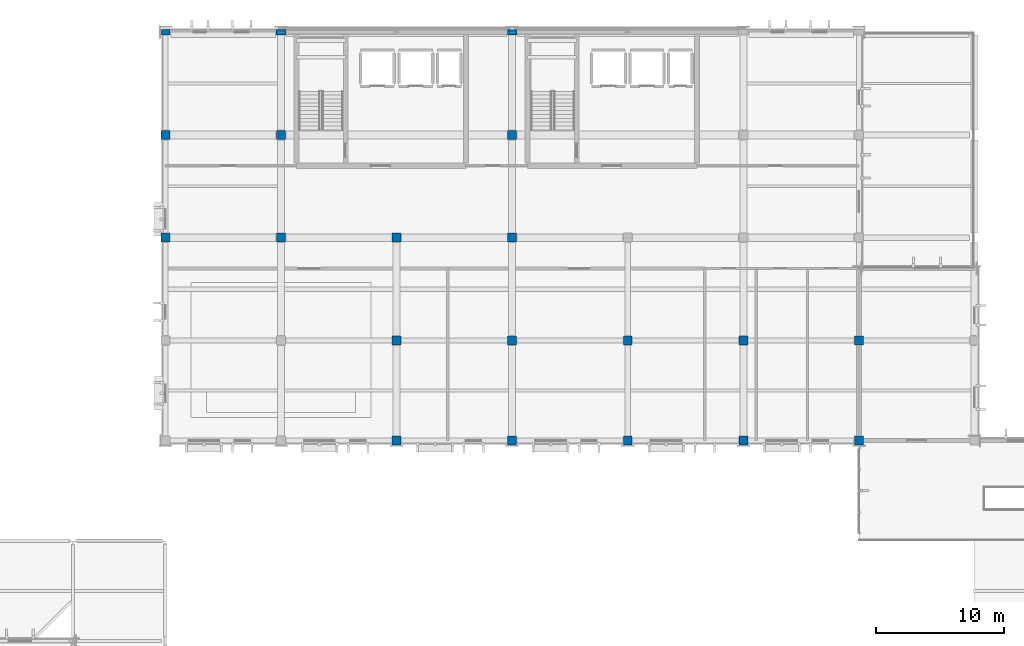
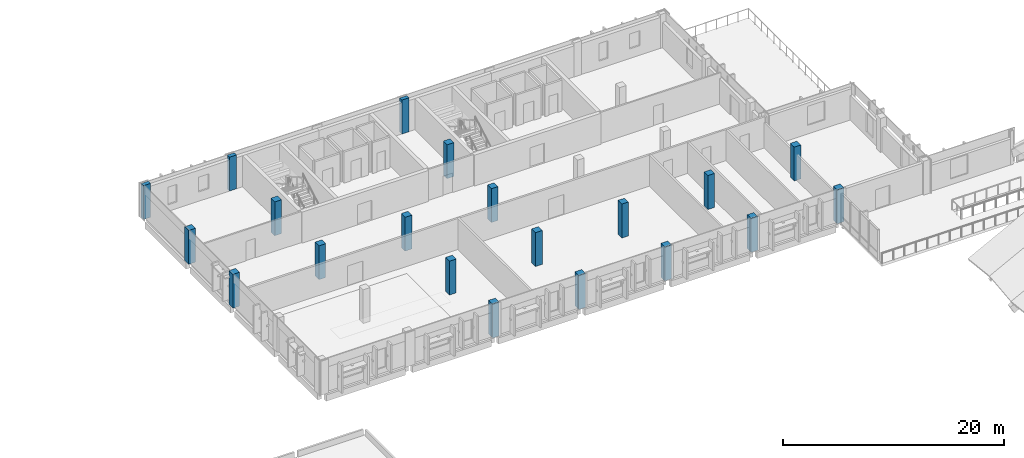
# One storey, part 5 of 73: 20 columns.
"""IFC4 building model written with IfcOpenShell, lengths in metres."""

import ifcopenshell
import ifcopenshell.guid

model = None  # the IFC model being written
_history = None  # IfcOwnerHistory: only IFC2X3 demands one
_inside = {}  # id of a spatial element -> (the spatial element, [elements in it])
_under = {}  # id of a project, library or spatial element -> (it, [spatial elements below it])
_declared = {}  # id of a project -> (the project, [libraries it declares])
_typed = {}  # id of a type object -> (the type object, [elements of that type])
_made_of = {}  # id of a material, layer set ... -> (it, [elements and type objects made of it])


def new_model(schema):
    """Start an empty IFC model of exactly this schema.

    Asked for "IFC4X3", IfcOpenShell would pick the latest addendum, in which some entities
    have other attributes; the version numbers below select the first issue.
    IFC2X3 requires an IfcOwnerHistory on every rooted entity: one is made here for all.
    """
    global model, _history
    if schema == "IFC4X3":
        model = ifcopenshell.file(schema_version=(4, 3, 0, 0))
    else:
        model = ifcopenshell.file(schema=schema)
    _inside.clear()
    _under.clear()
    _declared.clear()
    _typed.clear()
    _made_of.clear()
    _history = None
    if model.schema == "IFC2X3":
        org = make("IfcOrganization", Name="unknown")
        user = make(
            "IfcPersonAndOrganization",
            ThePerson=make("IfcPerson", FamilyName="unknown"),
            TheOrganization=org,
        )
        app = make(
            "IfcApplication",
            ApplicationDeveloper=org,
            Version="unknown",
            ApplicationFullName="unknown",
            ApplicationIdentifier="unknown",
        )
        _history = make(
            "IfcOwnerHistory",
            OwningUser=user,
            OwningApplication=app,
            ChangeAction="ADDED",
            CreationDate=0,
        )
    return model


def make(cls, **values):
    """One entity of the class cls with the attributes given. An attribute that is None is left unset."""
    return model.create_entity(
        cls, **{name: value for name, value in values.items() if value is not None}
    )


def rooted(cls, **values):
    """An entity with a GlobalId (a new one), such as an element, a storey or a relation."""
    return make(cls, GlobalId=ifcopenshell.guid.new(), OwnerHistory=_history, **values)


def si_unit(unit_type, name, prefix=None):
    """IfcSIUnit, for example si_unit("LENGTHUNIT", "METRE", prefix="MILLI")."""
    return make("IfcSIUnit", UnitType=unit_type, Prefix=prefix, Name=name)


def assignment(units):
    """IfcUnitAssignment: the units of a project."""
    return None if units is None else make("IfcUnitAssignment", Units=units)


def point(xyz):
    """IfcCartesianPoint."""
    return None if xyz is None else make("IfcCartesianPoint", Coordinates=xyz)


def direction(xyz):
    """IfcDirection."""
    return None if xyz is None else make("IfcDirection", DirectionRatios=xyz)


def frame(location, z_axis=None, x_axis=None):
    """IfcAxis2Placement3D, a coordinate frame: its origin and axes. An axis left out is left unset."""
    return make(
        "IfcAxis2Placement3D",
        Location=point(location),
        Axis=direction(z_axis),
        RefDirection=direction(x_axis),
    )


def frame_2d(location, x_axis=None):
    """IfcAxis2Placement2D, a coordinate frame in the plane: its origin and x axis."""
    return make(
        "IfcAxis2Placement2D", Location=point(location), RefDirection=direction(x_axis)
    )


def origin():
    """The frame at (0, 0, 0) with its axes left unset."""
    return frame((0.0, 0.0, 0.0))


def origin_2d():
    """The frame at (0, 0) in the plane with its x axis left unset."""
    return frame_2d((0.0, 0.0))


def place(relative_to, where):
    """IfcLocalPlacement: puts the frame where relative to a parent placement (None: the world)."""
    return make(
        "IfcLocalPlacement", PlacementRelTo=relative_to, RelativePlacement=where
    )


def context(
    kind, dimensions, precision=None, world=None, true_north=None, identifier=None
):
    """IfcGeometricRepresentationContext, for example the 3D "Model" context."""
    return make(
        "IfcGeometricRepresentationContext",
        ContextIdentifier=identifier,
        ContextType=kind,
        CoordinateSpaceDimension=dimensions,
        Precision=precision,
        WorldCoordinateSystem=world,
        TrueNorth=true_north,
    )


def subcontext(parent, identifier, kind, view, scale=None):
    """IfcGeometricRepresentationSubContext, for example "Body" below "Model"."""
    return make(
        "IfcGeometricRepresentationSubContext",
        ContextIdentifier=identifier,
        ContextType=kind,
        ParentContext=parent,
        TargetScale=scale,
        TargetView=view,
    )


def project(units=None, contexts=None):
    """IfcProject with its units and contexts."""
    return rooted(
        "IfcProject",
        Name="project",
        RepresentationContexts=contexts,
        UnitsInContext=assignment(units),
    )


def spatial(cls, under=None, at=None, **own):
    """A site, building, storey or space (cls), placed at a placement, below another one or the project."""
    s = rooted(cls, ObjectPlacement=at, **own)
    if under is not None:
        _under.setdefault(under.id(), (under, []))[1].append(s)
    return s


def profile(cls, at=None, kind="AREA", **sizes):
    """A parametric profile (cls). Its sizes go by their IFC names, for example OverallWidth=200.0."""
    return make(cls, ProfileType=kind, Position=at, **sizes)


def rectangle(**sizes):
    """IfcRectangleProfileDef."""
    return profile("IfcRectangleProfileDef", **sizes)


def extrude(swept, where, along, depth):
    """IfcExtrudedAreaSolid: the profile swept, set in the frame where, extruded along a direction by depth."""
    return make(
        "IfcExtrudedAreaSolid",
        SweptArea=swept,
        Position=where,
        ExtrudedDirection=direction(along),
        Depth=depth,
    )


def shape(context_of_items, identifier, shape_type, items):
    """IfcShapeRepresentation: the items that make up one representation, for example the "Body"."""
    return make(
        "IfcShapeRepresentation",
        ContextOfItems=context_of_items,
        RepresentationIdentifier=identifier,
        RepresentationType=shape_type,
        Items=items,
    )


def material(Name=None, Category=None):
    """IfcMaterial."""
    return make("IfcMaterial", Name=Name, Category=Category)


def material_profile(
    of_material, cross_section, Name=None, Category=None, Priority=None
):
    """IfcMaterialProfile: a cross section and its material."""
    return make(
        "IfcMaterialProfile",
        Name=Name,
        Material=of_material,
        Profile=cross_section,
        Priority=Priority,
        Category=Category,
    )


def profile_set(profiles, Name=None, composite=None):
    """IfcMaterialProfileSet."""
    return make(
        "IfcMaterialProfileSet",
        Name=Name,
        MaterialProfiles=profiles,
        CompositeProfile=composite,
    )


def made_of(thing, what):
    """Note that an element or type object is made of a material, layer set ...; save() writes the relation."""
    if what is not None:
        _made_of.setdefault(what.id(), (what, []))[1].append(thing)
    return thing


def type_object(cls, material=None, **own):
    """A type object (cls), such as IfcWallType, which elements share."""
    return made_of(rooted(cls, **own), material)


def element(
    cls,
    number,
    at=None,
    inside=None,
    cuts=None,
    type_object=None,
    material=None,
    context=None,
    identifier="Body",
    shape_type=None,
    held_by="IfcProductDefinitionShape",
    body=None,
    shapes=None,
    **own,
):
    """One element of the class cls, such as IfcWall. Its Tag is "e" and its number.

    at: its placement. inside: the storey or other place that contains it. cuts: it is an
    opening in that element (IfcRelVoidsElement). A single representation is given by context,
    identifier, shape_type and body (its items); several are given by shapes. held_by: the class
    of the entity that holds the representations. save() writes the other relations.
    """
    e = rooted(cls, Tag="e%d" % number, ObjectPlacement=at, **own)
    if body is not None:
        shapes = [shape(context, identifier, shape_type, body)]
    if shapes is not None:
        e.Representation = make(held_by, Representations=shapes)
    if inside is not None:
        _inside.setdefault(inside.id(), (inside, []))[1].append(e)
    if cuts is not None:
        rooted(
            "IfcRelVoidsElement", RelatingBuildingElement=cuts, RelatedOpeningElement=e
        )
    if type_object is not None:
        _typed.setdefault(type_object.id(), (type_object, []))[1].append(e)
    return made_of(e, material)


def aggregate(whole, parts):
    """IfcRelAggregates: a whole, such as a stair, and the parts it consists of."""
    return rooted("IfcRelAggregates", RelatingObject=whole, RelatedObjects=parts)


def save(model, path):
    """Write the relations noted so far, then the file.

    IfcRelAggregates (storeys below a building ...), IfcRelContainedInSpatialStructure (elements
    in a storey), IfcRelDefinesByType, IfcRelAssociatesMaterial and IfcRelDeclares: one each for
    every whole, place, type object, material and project.
    """
    for whole, parts in _under.values():
        aggregate(whole, parts)
    for where, things in _inside.values():
        rooted(
            "IfcRelContainedInSpatialStructure",
            RelatedElements=things,
            RelatingStructure=where,
        )
    for kind, things in _typed.values():
        rooted("IfcRelDefinesByType", RelatedObjects=things, RelatingType=kind)
    for what, things in _made_of.values():
        rooted("IfcRelAssociatesMaterial", RelatedObjects=things, RelatingMaterial=what)
    for by, libraries in _declared.values():
        rooted("IfcRelDeclares", RelatingContext=by, RelatedDefinitions=libraries)
    model.write(path)


model = new_model("IFC4")

# Units and contexts
model_context = context("Model", 3, precision=1e-05, world=origin(), true_north=direction((0.0, 1.0)))
body_context = subcontext(model_context, "Body", "Model", "MODEL_VIEW")
ifc_project = project(units=[si_unit("LENGTHUNIT", "METRE"), si_unit("AREAUNIT", "SQUARE_METRE"), si_unit("VOLUMEUNIT", "CUBIC_METRE"), si_unit("PLANEANGLEUNIT", "RADIAN"), si_unit("MASSUNIT", "GRAM", prefix="KILO")], contexts=[model_context])

# Site, building, storey
site_placement = place(None, origin())
site = spatial("IfcSite", under=ifc_project, at=site_placement, CompositionType="ELEMENT")
building_placement = place(site_placement, origin())
building = spatial("IfcBuilding", under=site, at=building_placement, Name="Vervanel Yard Central Library", CompositionType="ELEMENT")
storey_placement = place(building_placement, frame((0.0, 0.0, 12.780029296875)))
storey = spatial("IfcBuildingStorey", under=building, at=storey_placement, Name="L03", CompositionType="ELEMENT", Elevation=12.780029296875)

# Columns
ifc_material = material(Name="Concrete C40/50", Category="concrete")
ifc_material_profile_1 = material_profile(ifc_material, rectangle(XDim=0.699951171875, YDim=0.699951171875, at=origin_2d()), Name="RC 700x700", Category="concrete")
ifc_profile_set_1 = profile_set([ifc_material_profile_1], Name="Concrete C40/50")
column_type_1 = type_object("IfcColumnType", Name="Concrete Column 700x700", PredefinedType="COLUMN", material=ifc_profile_set_1)
for number, where, z_axis, x_axis, name in (
    (1, (36.0, 98.0, 0.0), (0.0, 0.0, 1.0), (1.0, 0.0, 0.0), "L03 Concrete Column 700x700 (36.0, 98.0)"),
    (2, (36.0, 106.0, 0.0), (0.0, 0.0, 1.0), (1.0, 0.0, 0.0), "L03 Concrete Column 700x700 (36.0, 106.0)"),
    (3, (45.0, 98.0, 0.0), (0.0, 0.0, 1.0), (1.0, 0.0, 0.0), "L03 Concrete Column 700x700 (45.0, 98.0)"),
    (4, (45.0, 106.0, 0.0), (0.0, 0.0, 1.0), (1.0, 0.0, 0.0), "L03 Concrete Column 700x700 (45.0, 106.0)"),
    (5, (54.0, 82.199951171875, 0.0), (0.0, 0.0, 1.0), (1.0, 0.0, 0.0), "L03 Concrete Column 700x700 (54.0, 82.2)"),
    (6, (54.0, 90.0, 0.0), (0.0, 0.0, 1.0), (1.0, 0.0, 0.0), "L03 Concrete Column 700x700 (54.0, 90.0)"),
    (7, (54.0, 98.0, 0.0), (0.0, 0.0, 1.0), (1.0, 0.0, 0.0), "L03 Concrete Column 700x700 (54.0, 98.0)"),
    (8, (63.0, 82.199951171875, 0.0), (0.0, 0.0, 1.0), (1.0, 0.0, 0.0), "L03 Concrete Column 700x700 (63.0, 82.2)"),
    (9, (63.0, 90.0, 0.0), (0.0, 0.0, 1.0), (1.0, 0.0, 0.0), "L03 Concrete Column 700x700 (63.0, 90.0)"),
    (10, (63.0, 98.0, 0.0), (0.0, 0.0, 1.0), (1.0, 0.0, 0.0), "L03 Concrete Column 700x700 (63.0, 98.0)"),
    (11, (63.0, 106.0, 0.0), (0.0, 0.0, 1.0), (1.0, 0.0, 0.0), "L03 Concrete Column 700x700 (63.0, 106.0)"),
    (12, (72.0, 82.199951171875, 0.0), (0.0, 0.0, 1.0), (1.0, 0.0, 0.0), "L03 Concrete Column 700x700 (72.0, 82.2)"),
    (13, (72.0, 90.0, 0.0), (0.0, 0.0, 1.0), (1.0, 0.0, 0.0), "L03 Concrete Column 700x700 (72.0, 90.0)"),
    (14, (81.0, 82.199951171875, 0.0), (0.0, 0.0, 1.0), (1.0, 0.0, 0.0), "L03 Concrete Column 700x700 (81.0, 82.2)"),
    (15, (81.0, 90.0, 0.0), (0.0, 0.0, 1.0), (1.0, 0.0, 0.0), "L03 Concrete Column 700x700 (81.0, 90.0)"),
    (16, (90.0, 82.199951171875, 0.0), (0.0, 0.0, 1.0), (1.0, 0.0, 0.0), "L03 Concrete Column 700x700 (90.0, 82.2)"),
    (17, (90.0, 90.0, 0.0), (0.0, 0.0, 1.0), (1.0, 0.0, 0.0), "L03 Concrete Column 700x700 (90.0, 90.0)"),
):
    element("IfcColumn", number, at=place(storey_placement, frame(where, z_axis=z_axis, x_axis=x_axis)), inside=storey, type_object=column_type_1, Name=name, PredefinedType="COLUMN", context=body_context, shape_type="SweptSolid", body=[
        extrude(rectangle(XDim=0.699951171875, YDim=0.699951171875, at=origin_2d()), origin(), (0.0, 0.0, 1.0), 3.739990234375),
    ])
ifc_material_profile_2 = material_profile(ifc_material, rectangle(XDim=0.39990234375, YDim=0.75, at=origin_2d()), Name="RC 400x750", Category="concrete")
ifc_profile_set_2 = profile_set([ifc_material_profile_2], Name="Concrete C40/50")
column_type_2 = type_object("IfcColumnType", Name="Perimeter Blade Column 400x750", PredefinedType="COLUMN", material=ifc_profile_set_2)
for number, where, z_axis, x_axis, name in (
    (18, (36.0, 114.0, 0.0), (0.0, 0.0, 1.0), (0.0, 1.0, 0.0), "L03 Perimeter Blade Column 400x750 (36.0, 114.0)"),
    (19, (45.0, 114.0, 0.0), (0.0, 0.0, 1.0), (0.0, 1.0, 0.0), "L03 Perimeter Blade Column 400x750 (45.0, 114.0)"),
    (20, (63.0, 114.0, 0.0), (0.0, 0.0, 1.0), (0.0, 1.0, 0.0), "L03 Perimeter Blade Column 400x750 (63.0, 114.0)"),
):
    element("IfcColumn", number, at=place(storey_placement, frame(where, z_axis=z_axis, x_axis=x_axis)), inside=storey, type_object=column_type_2, Name=name, PredefinedType="COLUMN", context=body_context, shape_type="SweptSolid", body=[
        extrude(rectangle(XDim=0.39990234375, YDim=0.75, at=origin_2d()), origin(), (0.0, 0.0, 1.0), 3.739990234375),
    ])

save(model, "model.ifc")
